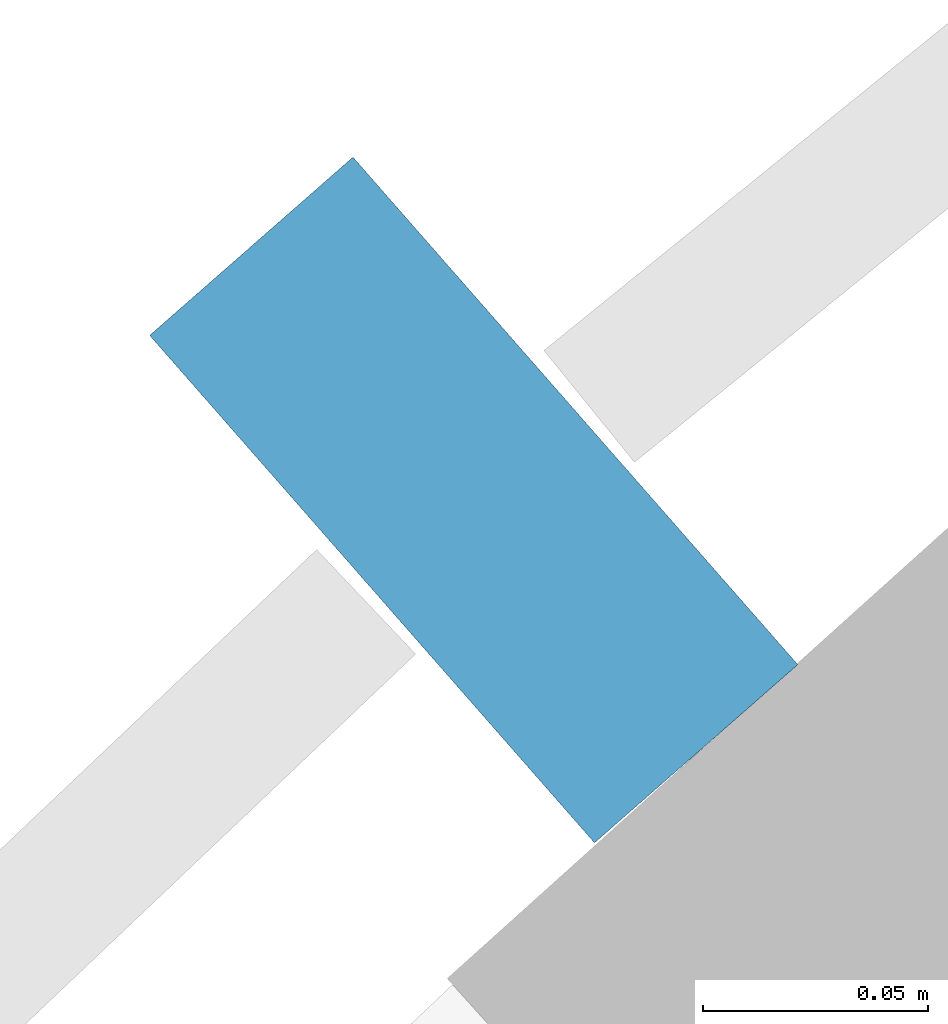
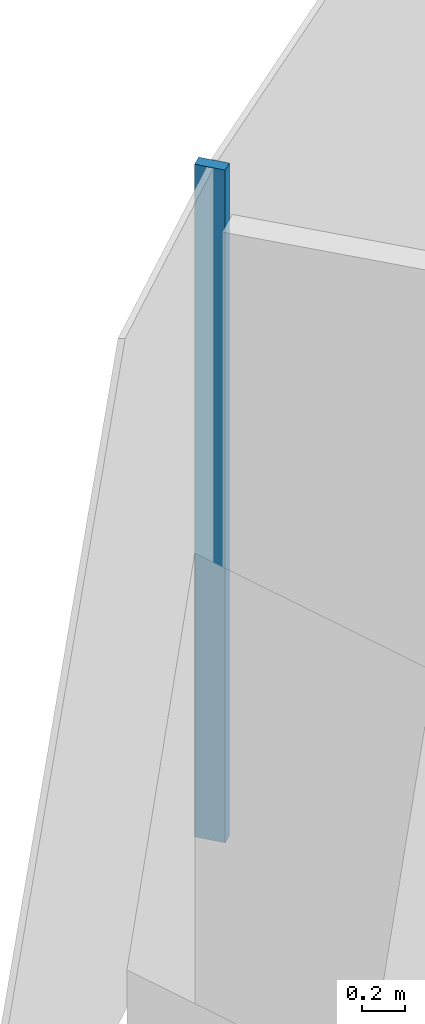
# One storey, part 4 of 21: 1 member, 1 element without a shape of its own.
"""IFC4 building model written with IfcOpenShell, lengths in metres."""

from ifc_helpers import new_model, si_unit, direction, frame, origin, origin_2d, place, context, subcontext, project, spatial, rectangle, extrude, material, layer, layer_set, material_profile, profile_set, type_object, element, aggregate, save


model = new_model("IFC4")

# Units and contexts
model_context = context("Model", 3, precision=1e-05, world=origin(), true_north=direction((0.0, 1.0)))
body_context = subcontext(model_context, "Body", "Model", "MODEL_VIEW")
ifc_project = project(units=[si_unit("LENGTHUNIT", "METRE"), si_unit("AREAUNIT", "SQUARE_METRE"), si_unit("VOLUMEUNIT", "CUBIC_METRE"), si_unit("PLANEANGLEUNIT", "RADIAN"), si_unit("MASSUNIT", "GRAM", prefix="KILO")], contexts=[model_context])

# Site, building, storey
site_placement = place(None, origin())
site = spatial("IfcSite", under=ifc_project, at=site_placement, CompositionType="ELEMENT")
building_placement = place(site_placement, origin())
building = spatial("IfcBuilding", under=site, at=building_placement, Name="Stone Belt Terrace Tower", CompositionType="ELEMENT")
storey_placement = place(building_placement, frame((0.0, 0.0, 90.800048828125)))
storey = spatial("IfcBuildingStorey", under=building, at=storey_placement, Name="L21", CompositionType="ELEMENT", Elevation=90.800048828125)

# Curtain wall, member
ifc_material = material(Name="Aluminium 6063-T6 anodised frame", Category="aluminium")
ifc_layer = layer(ifc_material, 0.14990234375)
ifc_layer_set = layer_set([ifc_layer], Name="CW-A unitised convex-face curtain wall")
curtain_wall_type = type_object("IfcCurtainWallType", Name="CW-A unitised convex-face curtain wall", PredefinedType="NOTDEFINED", material=ifc_layer_set)
curtain_wall_placement = place(storey_placement, origin())
curtain_wall = element("IfcCurtainWall", 1, at=curtain_wall_placement, inside=storey, type_object=curtain_wall_type, Name="CW-A convex face L21", PredefinedType="NOTDEFINED")
ifc_material_profile = material_profile(ifc_material, rectangle(XDim=0.14990234375, YDim=0.06005859375, at=origin_2d()), Name="Aluminium 6063-T6 60x150")
ifc_profile_set = profile_set([ifc_material_profile], Name="Aluminium 6063-T6 anodised frame")
member_type = type_object("IfcMemberType", Name="CW-A mullion 60 x 150", PredefinedType="MULLION", material=ifc_profile_set)
member_placement = place(storey_placement, frame((-44.546630859375, 49.4755859375, 0.0), z_axis=(0.0, 0.0, 1.0), x_axis=(0.659207369679, -0.751961198308, 0.0)))
member = element("IfcMember", 2, at=member_placement, type_object=member_type, Name="CW-A mullion 17", PredefinedType="MULLION", context=body_context, shape_type="SweptSolid", body=[
    extrude(rectangle(XDim=0.14990234375, YDim=0.06005859375, at=origin_2d()), origin(), (0.0, 0.0, 1.0), 3.800048828125),
])
aggregate(curtain_wall, [member])

save(model, "model.ifc")
